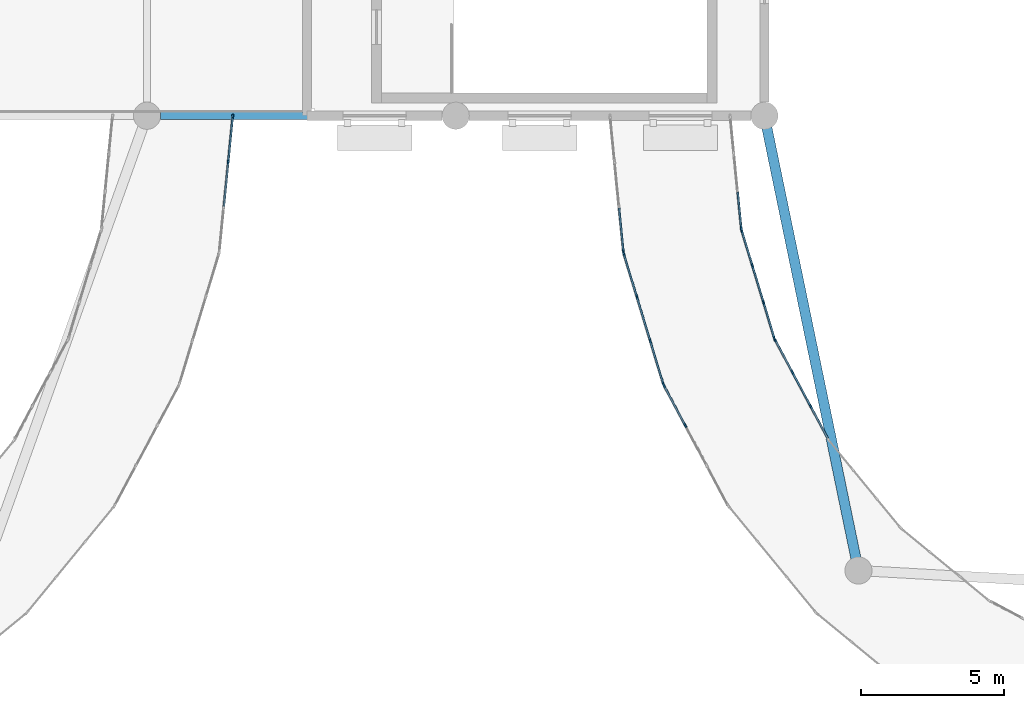
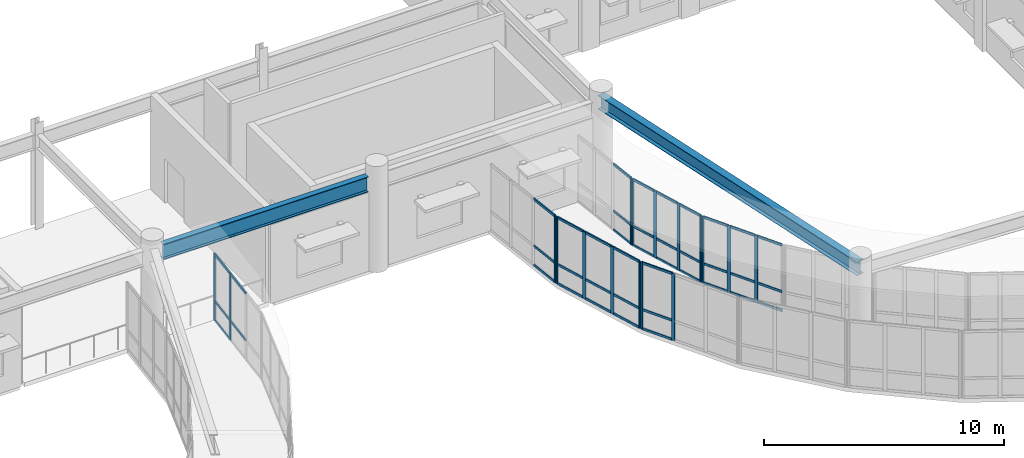
# One storey, part 26 of 68: 58 members, 2 beams, 7 elements without a shape of their own.
"""IFC4 building model written with IfcOpenShell, lengths in metres."""

from ifc_helpers import new_model, si_unit, direction, frame, origin, origin_2d, place, context, subcontext, project, spatial, rectangle, i_section, extrude, material, material_profile, profile_set, type_object, element, aggregate, save


model = new_model("IFC4")

# Units and contexts
model_context = context("Model", 3, precision=1e-05, world=origin(), true_north=direction((0.0, 1.0)))
body_context = subcontext(model_context, "Body", "Model", "MODEL_VIEW")
ifc_project = project(units=[si_unit("LENGTHUNIT", "METRE"), si_unit("AREAUNIT", "SQUARE_METRE"), si_unit("VOLUMEUNIT", "CUBIC_METRE"), si_unit("PLANEANGLEUNIT", "RADIAN"), si_unit("MASSUNIT", "GRAM", prefix="KILO")], contexts=[model_context])

# Site, building, storey
site_placement = place(None, origin())
site = spatial("IfcSite", under=ifc_project, at=site_placement, CompositionType="ELEMENT")
building_placement = place(site_placement, origin())
building = spatial("IfcBuilding", under=site, at=building_placement, Name="Veldera Park Congress Hotel", CompositionType="ELEMENT")
storey_placement = place(building_placement, frame((0.0, 0.0, 10.800048828125)))
storey = spatial("IfcBuildingStorey", under=building, at=storey_placement, Name="L02", CompositionType="ELEMENT", Elevation=10.800048828125)

# Beams
ifc_material_1 = material(Name="Steel ASTM A992 Gr.50", Category="steel")
ifc_material_profile_1 = material_profile(ifc_material_1, i_section(OverallWidth=0.35498046875, OverallDepth=0.696044921875, WebThickness=0.015380859375, FlangeThickness=0.02490234375, at=origin_2d()), Name="W27X146")
ifc_profile_set_1 = profile_set([ifc_material_profile_1], Name="Steel ASTM A992 Gr.50")
beam_type_1 = type_object("IfcBeamType", Name="BM-W27E", PredefinedType="BEAM", material=ifc_profile_set_1)
beam_1_placement = place(storey_placement, frame((44.89013671875, 1.489990234375, 4.64990234375), z_axis=(-0.202507214796, 0.979280770747, 0.0), x_axis=(-0.979280770747, -0.202507214796, 0.0)))
element("IfcBeam", 1, at=beam_1_placement, inside=storey, type_object=beam_type_1, Name="L02 Skybridge Support Girder B E", PredefinedType="BEAM", context=body_context, shape_type="SweptSolid", body=[
    extrude(i_section(OverallWidth=0.35498046875, OverallDepth=0.696044921875, WebThickness=0.015380859375, FlangeThickness=0.02490234375, at=origin_2d()), origin(), (0.0, 0.0, 1.0), 16.24658203125),
])
ifc_material_profile_2 = material_profile(ifc_material_1, i_section(OverallWidth=0.26708984375, OverallDepth=0.779052734375, WebThickness=0.0166015625, FlangeThickness=0.030029296875, at=origin_2d()), Name="W30X148")
ifc_profile_set_2 = profile_set([ifc_material_profile_2], Name="Steel ASTM A992 Gr.50")
beam_type_2 = type_object("IfcBeamType", Name="BM-W30", PredefinedType="BEAM", material=ifc_profile_set_2)
beam_2_placement = place(storey_placement, frame((20.47509765625, 17.39990234375, 4.410400390625), z_axis=(1.0, 0.0, 0.0), x_axis=(0.0, 1.0, 0.0)))
element("IfcBeam", 2, at=beam_2_placement, inside=storey, type_object=beam_type_2, Name="L02 Girder BM-W30 870", PredefinedType="BEAM", context=body_context, shape_type="SweptSolid", body=[
    extrude(i_section(OverallWidth=0.26708984375, OverallDepth=0.779052734375, WebThickness=0.0166015625, FlangeThickness=0.030029296875, at=origin_2d()), origin(), (0.0, 0.0, 1.0), 9.849853515625),
])

# Curtain wall, members
ifc_material_2 = material(Name="Low-E Triple Insulating Glass Unit (SHGC 0.22)", Category="glass")
curtain_wall_type = type_object("IfcCurtainWallType", Name="CW-BRG", PredefinedType="NOTDEFINED", material=ifc_material_2)
curtain_wall_1_placement = place(storey_placement, origin())
curtain_wall_1 = element("IfcCurtainWall", 3, at=curtain_wall_1_placement, inside=storey, type_object=curtain_wall_type, Name="L02 Curtain Wall CW3-BRGW-L02-A07", PredefinedType="NOTDEFINED")
ifc_material_3 = material(Name="Anodised Aluminium Alloy 6063-T6", Category="aluminium")
ifc_material_profile_3 = material_profile(ifc_material_3, rectangle(XDim=0.06005859375, YDim=0.159912109375, at=origin_2d()), Name="ALU 60x160")
ifc_profile_set_3 = profile_set([ifc_material_profile_3], Name="Anodised Aluminium Alloy 6063-T6")
member_type_1 = type_object("IfcMemberType", Name="CWM-160", PredefinedType="MULLION", material=ifc_profile_set_3)
member_1_placement = place(storey_placement, frame((22.842529296875, 15.80029296875, 0.0), z_axis=(0.0, 0.0, 1.0), x_axis=(-0.995184320963, 0.098021259481, 0.0)))
member_1 = element("IfcMember", 4, at=member_1_placement, type_object=member_type_1, Name="CW-BRG mullion 3", PredefinedType="MULLION", context=body_context, shape_type="SweptSolid", body=[
    extrude(rectangle(XDim=0.06005859375, YDim=0.159912109375, at=origin_2d()), origin(), (0.0, 0.0, 1.0), 3.39990234375),
])
member_2_placement = place(storey_placement, frame((22.9970703125, 17.3701171875, 0.0), z_axis=(0.0, 0.0, 1.0), x_axis=(-0.995184320963, 0.098021259481, 0.0)))
member_2 = element("IfcMember", 5, at=member_2_placement, type_object=member_type_1, Name="CW-BRG mullion 4", PredefinedType="MULLION", context=body_context, shape_type="SweptSolid", body=[
    extrude(rectangle(XDim=0.06005859375, YDim=0.159912109375, at=origin_2d()), origin(), (0.0, 0.0, 1.0), 3.39990234375),
])

# Curtain wall, member
curtain_wall_2_placement = place(storey_placement, origin())
curtain_wall_2 = element("IfcCurtainWall", 6, at=curtain_wall_2_placement, inside=storey, type_object=curtain_wall_type, Name="L02 Curtain Wall CW3-BRGE-L02-A00", PredefinedType="NOTDEFINED")
member_3_placement = place(storey_placement, frame((36.669677734375, 12.630615234375, 0.0), z_axis=(0.0, 0.0, 1.0), x_axis=(0.995184320963, 0.098021259481, 0.0)))
member_3 = element("IfcMember", 7, at=member_3_placement, type_object=member_type_1, Name="CW-BRG mullion 4", PredefinedType="MULLION", context=body_context, shape_type="SweptSolid", body=[
    extrude(rectangle(XDim=0.06005859375, YDim=0.159912109375, at=origin_2d()), origin(), (0.0, 0.0, 1.0), 3.39990234375),
])

# Curtain wall, members
curtain_wall_3_placement = place(storey_placement, origin())
curtain_wall_3 = element("IfcCurtainWall", 8, at=curtain_wall_3_placement, inside=storey, type_object=curtain_wall_type, Name="L02 Curtain Wall CW3-BRGE-L02-A01", PredefinedType="NOTDEFINED")
member_4_placement = place(storey_placement, frame((36.681396484375, 12.572021484375, 0.0), z_axis=(0.0, 0.0, 1.0), x_axis=(0.956939429957, 0.290287663177, 0.0)))
member_4 = element("IfcMember", 9, at=member_4_placement, type_object=member_type_1, Name="CW-BRG mullion 1", PredefinedType="MULLION", context=body_context, shape_type="SweptSolid", body=[
    extrude(rectangle(XDim=0.06005859375, YDim=0.159912109375, at=origin_2d()), origin(), (0.0, 0.0, 1.0), 3.39990234375),
])
member_5_placement = place(storey_placement, frame((37.139404296875, 11.0625, 0.0), z_axis=(0.0, 0.0, 1.0), x_axis=(0.956939429957, 0.290287663177, 0.0)))
member_5 = element("IfcMember", 10, at=member_5_placement, type_object=member_type_1, Name="CW-BRG mullion 2", PredefinedType="MULLION", context=body_context, shape_type="SweptSolid", body=[
    extrude(rectangle(XDim=0.06005859375, YDim=0.159912109375, at=origin_2d()), origin(), (0.0, 0.0, 1.0), 3.39990234375),
])
member_6_placement = place(storey_placement, frame((37.60595703125, 9.524169921875, 0.0), z_axis=(0.0, 0.0, 1.0), x_axis=(0.956939429957, 0.290287663177, 0.0)))
member_6 = element("IfcMember", 11, at=member_6_placement, type_object=member_type_1, Name="CW-BRG mullion 3", PredefinedType="MULLION", context=body_context, shape_type="SweptSolid", body=[
    extrude(rectangle(XDim=0.06005859375, YDim=0.159912109375, at=origin_2d()), origin(), (0.0, 0.0, 1.0), 3.39990234375),
])
member_7_placement = place(storey_placement, frame((38.06396484375, 8.0146484375, 0.0), z_axis=(0.0, 0.0, 1.0), x_axis=(0.956939429957, 0.290287663177, 0.0)))
member_7 = element("IfcMember", 12, at=member_7_placement, type_object=member_type_1, Name="CW-BRG mullion 4", PredefinedType="MULLION", context=body_context, shape_type="SweptSolid", body=[
    extrude(rectangle(XDim=0.06005859375, YDim=0.159912109375, at=origin_2d()), origin(), (0.0, 0.0, 1.0), 3.39990234375),
])

curtain_wall_4_placement = place(storey_placement, origin())
curtain_wall_4 = element("IfcCurtainWall", 13, at=curtain_wall_4_placement, inside=storey, type_object=curtain_wall_type, Name="L02 Curtain Wall CW3-BRGE-L02-A02", PredefinedType="NOTDEFINED")
member_8_placement = place(storey_placement, frame((38.086669921875, 7.95947265625, 0.0), z_axis=(0.0, 0.0, 1.0), x_axis=(0.881927804203, 0.471384501415, 0.0)))
member_8 = element("IfcMember", 14, at=member_8_placement, type_object=member_type_1, Name="CW-BRG mullion 1", PredefinedType="MULLION", context=body_context, shape_type="SweptSolid", body=[
    extrude(rectangle(XDim=0.06005859375, YDim=0.159912109375, at=origin_2d()), origin(), (0.0, 0.0, 1.0), 3.39990234375),
])
member_9_placement = place(storey_placement, frame((38.830322265625, 6.568359375, 0.0), z_axis=(0.0, 0.0, 1.0), x_axis=(0.881927804203, 0.471384501415, 0.0)))
member_9 = element("IfcMember", 15, at=member_9_placement, type_object=member_type_1, Name="CW-BRG mullion 2", PredefinedType="MULLION", context=body_context, shape_type="SweptSolid", body=[
    extrude(rectangle(XDim=0.06005859375, YDim=0.159912109375, at=origin_2d()), origin(), (0.0, 0.0, 1.0), 3.39990234375),
])

curtain_wall_5_placement = place(storey_placement, origin())
curtain_wall_5 = element("IfcCurtainWall", 16, at=curtain_wall_5_placement, inside=storey, type_object=curtain_wall_type, Name="L02 Curtain Wall CW3-BRGE-L02-B14", PredefinedType="NOTDEFINED")
member_10_placement = place(storey_placement, frame((43.209716796875, 7.241943359375, 0.0), z_axis=(0.0, 0.0, 1.0), x_axis=(-0.881928263239, -0.471383642588, 0.0)))
member_10 = element("IfcMember", 17, at=member_10_placement, type_object=member_type_1, Name="CW-BRG mullion 2", PredefinedType="MULLION", context=body_context, shape_type="SweptSolid", body=[
    extrude(rectangle(XDim=0.06005859375, YDim=0.159912109375, at=origin_2d()), origin(), (0.0, 0.0, 1.0), 3.39990234375),
])
member_11_placement = place(storey_placement, frame((42.581298828125, 8.417724609375, 0.0), z_axis=(0.0, 0.0, 1.0), x_axis=(-0.881928263239, -0.471383642588, 0.0)))
member_11 = element("IfcMember", 18, at=member_11_placement, type_object=member_type_1, Name="CW-BRG mullion 3", PredefinedType="MULLION", context=body_context, shape_type="SweptSolid", body=[
    extrude(rectangle(XDim=0.06005859375, YDim=0.159912109375, at=origin_2d()), origin(), (0.0, 0.0, 1.0), 3.39990234375),
])
member_12_placement = place(storey_placement, frame((41.967041015625, 9.56689453125, 0.0), z_axis=(0.0, 0.0, 1.0), x_axis=(-0.881928263239, -0.471383642588, 0.0)))
member_12 = element("IfcMember", 19, at=member_12_placement, type_object=member_type_1, Name="CW-BRG mullion 4", PredefinedType="MULLION", context=body_context, shape_type="SweptSolid", body=[
    extrude(rectangle(XDim=0.06005859375, YDim=0.159912109375, at=origin_2d()), origin(), (0.0, 0.0, 1.0), 3.39990234375),
])

curtain_wall_6_placement = place(storey_placement, origin())
curtain_wall_6 = element("IfcCurtainWall", 20, at=curtain_wall_6_placement, inside=storey, type_object=curtain_wall_type, Name="L02 Curtain Wall CW3-BRGE-L02-B15", PredefinedType="NOTDEFINED")
member_13_placement = place(storey_placement, frame((41.944091796875, 9.6220703125, 0.0), z_axis=(0.0, 0.0, 1.0), x_axis=(-0.956938767513, -0.290289846929, 0.0)))
member_13 = element("IfcMember", 21, at=member_13_placement, type_object=member_type_1, Name="CW-BRG mullion 1", PredefinedType="MULLION", context=body_context, shape_type="SweptSolid", body=[
    extrude(rectangle(XDim=0.06005859375, YDim=0.159912109375, at=origin_2d()), origin(), (0.0, 0.0, 1.0), 3.39990234375),
])
member_14_placement = place(storey_placement, frame((41.56591796875, 10.868896484375, 0.0), z_axis=(0.0, 0.0, 1.0), x_axis=(-0.956938767513, -0.290289846929, 0.0)))
member_14 = element("IfcMember", 22, at=member_14_placement, type_object=member_type_1, Name="CW-BRG mullion 2", PredefinedType="MULLION", context=body_context, shape_type="SweptSolid", body=[
    extrude(rectangle(XDim=0.06005859375, YDim=0.159912109375, at=origin_2d()), origin(), (0.0, 0.0, 1.0), 3.39990234375),
])
member_15_placement = place(storey_placement, frame((41.178955078125, 12.14453125, 0.0), z_axis=(0.0, 0.0, 1.0), x_axis=(-0.956938767513, -0.290289846929, 0.0)))
member_15 = element("IfcMember", 23, at=member_15_placement, type_object=member_type_1, Name="CW-BRG mullion 3", PredefinedType="MULLION", context=body_context, shape_type="SweptSolid", body=[
    extrude(rectangle(XDim=0.06005859375, YDim=0.159912109375, at=origin_2d()), origin(), (0.0, 0.0, 1.0), 3.39990234375),
])
member_16_placement = place(storey_placement, frame((40.80078125, 13.3916015625, 0.0), z_axis=(0.0, 0.0, 1.0), x_axis=(-0.956938767513, -0.290289846929, 0.0)))
member_16 = element("IfcMember", 24, at=member_16_placement, type_object=member_type_1, Name="CW-BRG mullion 4", PredefinedType="MULLION", context=body_context, shape_type="SweptSolid", body=[
    extrude(rectangle(XDim=0.06005859375, YDim=0.159912109375, at=origin_2d()), origin(), (0.0, 0.0, 1.0), 3.39990234375),
])

# Curtain wall, member
curtain_wall_7_placement = place(storey_placement, origin())
curtain_wall_7 = element("IfcCurtainWall", 25, at=curtain_wall_7_placement, inside=storey, type_object=curtain_wall_type, Name="L02 Curtain Wall CW3-BRGE-L02-B16", PredefinedType="NOTDEFINED")
member_17_placement = place(storey_placement, frame((40.7890625, 13.449951171875, 0.0), z_axis=(0.0, 0.0, 1.0), x_axis=(-0.99518414337, -0.098023062513, 0.0)))
member_17 = element("IfcMember", 26, at=member_17_placement, type_object=member_type_1, Name="CW-BRG mullion 1", PredefinedType="MULLION", context=body_context, shape_type="SweptSolid", body=[
    extrude(rectangle(XDim=0.06005859375, YDim=0.159912109375, at=origin_2d()), origin(), (0.0, 0.0, 1.0), 3.39990234375),
])

# Member
ifc_material_profile_4 = material_profile(ifc_material_3, rectangle(XDim=0.06005859375, YDim=0.1201171875, at=origin_2d()), Name="ALU 60x120")
ifc_profile_set_4 = profile_set([ifc_material_profile_4], Name="Anodised Aluminium Alloy 6063-T6")
member_type_2 = type_object("IfcMemberType", Name="CWT-120", PredefinedType="USERDEFINED", material=ifc_profile_set_4)
member_18_placement = place(storey_placement, frame((22.687744140625, 14.23046875, 1.0), z_axis=(0.09812904888, 0.995173698289, 0.0), x_axis=(-0.995173698289, 0.09812904888, 0.0)))
member_18 = element("IfcMember", 27, at=member_18_placement, type_object=member_type_2, Name="CW-BRG transom 2.2", ObjectType="TRANSOM", PredefinedType="USERDEFINED", context=body_context, shape_type="SweptSolid", body=[
    extrude(rectangle(XDim=0.06005859375, YDim=0.1201171875, at=origin_2d()), origin(), (0.0, 0.0, 1.0), 1.547607421875),
])

member_19_placement = place(storey_placement, frame((22.687744140625, 14.23046875, 3.369873046875), z_axis=(0.09812904888, 0.995173698289, 0.0), x_axis=(-0.995173698289, 0.09812904888, 0.0)))
member_19 = element("IfcMember", 28, at=member_19_placement, type_object=member_type_2, Name="CW-BRG transom 2.3", ObjectType="TRANSOM", PredefinedType="USERDEFINED", context=body_context, shape_type="SweptSolid", body=[
    extrude(rectangle(XDim=0.06005859375, YDim=0.1201171875, at=origin_2d()), origin(), (0.0, 0.0, 1.0), 1.547607421875),
])

member_20_placement = place(storey_placement, frame((22.845458984375, 15.830078125, 0.030029296875), z_axis=(0.097974467756, 0.99518892863, 0.0), x_axis=(-0.99518892863, 0.097974467756, 0.0)))
member_20 = element("IfcMember", 29, at=member_20_placement, type_object=member_type_2, Name="CW-BRG transom 3.1", ObjectType="TRANSOM", PredefinedType="USERDEFINED", context=body_context, shape_type="SweptSolid", body=[
    extrude(rectangle(XDim=0.06005859375, YDim=0.1201171875, at=origin_2d()), origin(), (0.0, 0.0, 1.0), 1.517578125),
])

member_21_placement = place(storey_placement, frame((22.845458984375, 15.830078125, 1.0), z_axis=(0.097974467756, 0.99518892863, 0.0), x_axis=(-0.99518892863, 0.097974467756, 0.0)))
member_21 = element("IfcMember", 30, at=member_21_placement, type_object=member_type_2, Name="CW-BRG transom 3.2", ObjectType="TRANSOM", PredefinedType="USERDEFINED", context=body_context, shape_type="SweptSolid", body=[
    extrude(rectangle(XDim=0.06005859375, YDim=0.1201171875, at=origin_2d()), origin(), (0.0, 0.0, 1.0), 1.517578125),
])

member_22_placement = place(storey_placement, frame((22.845458984375, 15.830078125, 3.369873046875), z_axis=(0.097974467756, 0.99518892863, 0.0), x_axis=(-0.99518892863, 0.097974467756, 0.0)))
member_22 = element("IfcMember", 31, at=member_22_placement, type_object=member_type_2, Name="CW-BRG transom 3.3", ObjectType="TRANSOM", PredefinedType="USERDEFINED", context=body_context, shape_type="SweptSolid", body=[
    extrude(rectangle(XDim=0.06005859375, YDim=0.1201171875, at=origin_2d()), origin(), (0.0, 0.0, 1.0), 1.517578125),
])

aggregate(curtain_wall_1, [member_1, member_2, member_18, member_19, member_20, member_21, member_22])

member_23_placement = place(storey_placement, frame((36.51806640625, 14.170654296875, 0.030029296875), z_axis=(0.097974467756, -0.99518892863, 0.0), x_axis=(0.99518892863, 0.097974467756, 0.0)))
member_23 = element("IfcMember", 32, at=member_23_placement, type_object=member_type_2, Name="CW-BRG transom 3.1", ObjectType="TRANSOM", PredefinedType="USERDEFINED", context=body_context, shape_type="SweptSolid", body=[
    extrude(rectangle(XDim=0.06005859375, YDim=0.1201171875, at=origin_2d()), origin(), (0.0, 0.0, 1.0), 1.517578125),
])

member_24_placement = place(storey_placement, frame((36.51806640625, 14.170654296875, 1.0), z_axis=(0.097974467756, -0.99518892863, 0.0), x_axis=(0.99518892863, 0.097974467756, 0.0)))
member_24 = element("IfcMember", 33, at=member_24_placement, type_object=member_type_2, Name="CW-BRG transom 3.2", ObjectType="TRANSOM", PredefinedType="USERDEFINED", context=body_context, shape_type="SweptSolid", body=[
    extrude(rectangle(XDim=0.06005859375, YDim=0.1201171875, at=origin_2d()), origin(), (0.0, 0.0, 1.0), 1.517578125),
])

member_25_placement = place(storey_placement, frame((36.51806640625, 14.170654296875, 3.369873046875), z_axis=(0.097974467756, -0.99518892863, 0.0), x_axis=(0.99518892863, 0.097974467756, 0.0)))
member_25 = element("IfcMember", 34, at=member_25_placement, type_object=member_type_2, Name="CW-BRG transom 3.3", ObjectType="TRANSOM", PredefinedType="USERDEFINED", context=body_context, shape_type="SweptSolid", body=[
    extrude(rectangle(XDim=0.06005859375, YDim=0.1201171875, at=origin_2d()), origin(), (0.0, 0.0, 1.0), 1.517578125),
])

aggregate(curtain_wall_2, [member_3, member_23, member_24, member_25])

member_26_placement = place(storey_placement, frame((36.690185546875, 12.54345703125, 0.030029296875), z_axis=(0.290239583177, -0.956954013711, 0.0), x_axis=(0.956954013711, 0.290239583177, 0.0)))
member_26 = element("IfcMember", 35, at=member_26_placement, type_object=member_type_2, Name="CW-BRG transom 1.1", ObjectType="TRANSOM", PredefinedType="USERDEFINED", context=body_context, shape_type="SweptSolid", body=[
    extrude(rectangle(XDim=0.06005859375, YDim=0.1201171875, at=origin_2d()), origin(), (0.0, 0.0, 1.0), 1.517578125),
])

member_27_placement = place(storey_placement, frame((36.690185546875, 12.54345703125, 1.0), z_axis=(0.290239583177, -0.956954013711, 0.0), x_axis=(0.956954013711, 0.290239583177, 0.0)))
member_27 = element("IfcMember", 36, at=member_27_placement, type_object=member_type_2, Name="CW-BRG transom 1.2", ObjectType="TRANSOM", PredefinedType="USERDEFINED", context=body_context, shape_type="SweptSolid", body=[
    extrude(rectangle(XDim=0.06005859375, YDim=0.1201171875, at=origin_2d()), origin(), (0.0, 0.0, 1.0), 1.517578125),
])

member_28_placement = place(storey_placement, frame((36.690185546875, 12.54345703125, 3.369873046875), z_axis=(0.290239583177, -0.956954013711, 0.0), x_axis=(0.956954013711, 0.290239583177, 0.0)))
member_28 = element("IfcMember", 37, at=member_28_placement, type_object=member_type_2, Name="CW-BRG transom 1.3", ObjectType="TRANSOM", PredefinedType="USERDEFINED", context=body_context, shape_type="SweptSolid", body=[
    extrude(rectangle(XDim=0.06005859375, YDim=0.1201171875, at=origin_2d()), origin(), (0.0, 0.0, 1.0), 1.517578125),
])

member_29_placement = place(storey_placement, frame((37.14794921875, 11.033935546875, 0.030029296875), z_axis=(0.29027008903, -0.9569447609, 0.0), x_axis=(0.9569447609, 0.29027008903, 0.0)))
member_29 = element("IfcMember", 38, at=member_29_placement, type_object=member_type_2, Name="CW-BRG transom 2.1", ObjectType="TRANSOM", PredefinedType="USERDEFINED", context=body_context, shape_type="SweptSolid", body=[
    extrude(rectangle(XDim=0.06005859375, YDim=0.1201171875, at=origin_2d()), origin(), (0.0, 0.0, 1.0), 1.547607421875),
])

member_30_placement = place(storey_placement, frame((37.14794921875, 11.033935546875, 1.0), z_axis=(0.29027008903, -0.9569447609, 0.0), x_axis=(0.9569447609, 0.29027008903, 0.0)))
member_30 = element("IfcMember", 39, at=member_30_placement, type_object=member_type_2, Name="CW-BRG transom 2.2", ObjectType="TRANSOM", PredefinedType="USERDEFINED", context=body_context, shape_type="SweptSolid", body=[
    extrude(rectangle(XDim=0.06005859375, YDim=0.1201171875, at=origin_2d()), origin(), (0.0, 0.0, 1.0), 1.547607421875),
])

member_31_placement = place(storey_placement, frame((37.14794921875, 11.033935546875, 3.369873046875), z_axis=(0.29027008903, -0.9569447609, 0.0), x_axis=(0.9569447609, 0.29027008903, 0.0)))
member_31 = element("IfcMember", 40, at=member_31_placement, type_object=member_type_2, Name="CW-BRG transom 2.3", ObjectType="TRANSOM", PredefinedType="USERDEFINED", context=body_context, shape_type="SweptSolid", body=[
    extrude(rectangle(XDim=0.06005859375, YDim=0.1201171875, at=origin_2d()), origin(), (0.0, 0.0, 1.0), 1.547607421875),
])

member_32_placement = place(storey_placement, frame((37.61474609375, 9.49560546875, 0.030029296875), z_axis=(0.290239583177, -0.956954013711, 0.0), x_axis=(0.956954013711, 0.290239583177, 0.0)))
member_32 = element("IfcMember", 41, at=member_32_placement, type_object=member_type_2, Name="CW-BRG transom 3.1", ObjectType="TRANSOM", PredefinedType="USERDEFINED", context=body_context, shape_type="SweptSolid", body=[
    extrude(rectangle(XDim=0.06005859375, YDim=0.1201171875, at=origin_2d()), origin(), (0.0, 0.0, 1.0), 1.517578125),
])

member_33_placement = place(storey_placement, frame((37.61474609375, 9.49560546875, 1.0), z_axis=(0.290239583177, -0.956954013711, 0.0), x_axis=(0.956954013711, 0.290239583177, 0.0)))
member_33 = element("IfcMember", 42, at=member_33_placement, type_object=member_type_2, Name="CW-BRG transom 3.2", ObjectType="TRANSOM", PredefinedType="USERDEFINED", context=body_context, shape_type="SweptSolid", body=[
    extrude(rectangle(XDim=0.06005859375, YDim=0.1201171875, at=origin_2d()), origin(), (0.0, 0.0, 1.0), 1.517578125),
])

member_34_placement = place(storey_placement, frame((37.61474609375, 9.49560546875, 3.369873046875), z_axis=(0.290239583177, -0.956954013711, 0.0), x_axis=(0.956954013711, 0.290239583177, 0.0)))
member_34 = element("IfcMember", 43, at=member_34_placement, type_object=member_type_2, Name="CW-BRG transom 3.3", ObjectType="TRANSOM", PredefinedType="USERDEFINED", context=body_context, shape_type="SweptSolid", body=[
    extrude(rectangle(XDim=0.06005859375, YDim=0.1201171875, at=origin_2d()), origin(), (0.0, 0.0, 1.0), 1.517578125),
])

aggregate(curtain_wall_3, [member_4, member_5, member_6, member_7, member_26, member_27, member_28, member_29, member_30, member_31, member_32, member_33, member_34])

member_35_placement = place(storey_placement, frame((38.100830078125, 7.93310546875, 0.030029296875), z_axis=(0.4713729563, -0.881933974892, 0.0), x_axis=(0.881933974892, 0.4713729563, 0.0)))
member_35 = element("IfcMember", 44, at=member_35_placement, type_object=member_type_2, Name="CW-BRG transom 1.1", ObjectType="TRANSOM", PredefinedType="USERDEFINED", context=body_context, shape_type="SweptSolid", body=[
    extrude(rectangle(XDim=0.06005859375, YDim=0.1201171875, at=origin_2d()), origin(), (0.0, 0.0, 1.0), 1.517578125),
])

member_36_placement = place(storey_placement, frame((38.100830078125, 7.93310546875, 1.0), z_axis=(0.4713729563, -0.881933974892, 0.0), x_axis=(0.881933974892, 0.4713729563, 0.0)))
member_36 = element("IfcMember", 45, at=member_36_placement, type_object=member_type_2, Name="CW-BRG transom 1.2", ObjectType="TRANSOM", PredefinedType="USERDEFINED", context=body_context, shape_type="SweptSolid", body=[
    extrude(rectangle(XDim=0.06005859375, YDim=0.1201171875, at=origin_2d()), origin(), (0.0, 0.0, 1.0), 1.517578125),
])

member_37_placement = place(storey_placement, frame((38.100830078125, 7.93310546875, 3.369873046875), z_axis=(0.4713729563, -0.881933974892, 0.0), x_axis=(0.881933974892, 0.4713729563, 0.0)))
member_37 = element("IfcMember", 46, at=member_37_placement, type_object=member_type_2, Name="CW-BRG transom 1.3", ObjectType="TRANSOM", PredefinedType="USERDEFINED", context=body_context, shape_type="SweptSolid", body=[
    extrude(rectangle(XDim=0.06005859375, YDim=0.1201171875, at=origin_2d()), origin(), (0.0, 0.0, 1.0), 1.517578125),
])

aggregate(curtain_wall_4, [member_8, member_9, member_35, member_36, member_37])

member_38_placement = place(storey_placement, frame((43.809814453125, 6.119384765625, 0.030029296875), z_axis=(-0.471403611449, 0.881917589752, 0.0), x_axis=(-0.881917589752, -0.471403611449, 0.0)))
member_38 = element("IfcMember", 47, at=member_38_placement, type_object=member_type_2, Name="CW-BRG transom 1.1", ObjectType="TRANSOM", PredefinedType="USERDEFINED", context=body_context, shape_type="SweptSolid", body=[
    extrude(rectangle(XDim=0.06005859375, YDim=0.1201171875, at=origin_2d()), origin(), (0.0, 0.0, 1.0), 1.242919921875),
])

member_39_placement = place(storey_placement, frame((43.809814453125, 6.119384765625, 1.0), z_axis=(-0.471403611449, 0.881917589752, 0.0), x_axis=(-0.881917589752, -0.471403611449, 0.0)))
member_39 = element("IfcMember", 48, at=member_39_placement, type_object=member_type_2, Name="CW-BRG transom 1.2", ObjectType="TRANSOM", PredefinedType="USERDEFINED", context=body_context, shape_type="SweptSolid", body=[
    extrude(rectangle(XDim=0.06005859375, YDim=0.1201171875, at=origin_2d()), origin(), (0.0, 0.0, 1.0), 1.242919921875),
])

member_40_placement = place(storey_placement, frame((43.809814453125, 6.119384765625, 3.369873046875), z_axis=(-0.471403611449, 0.881917589752, 0.0), x_axis=(-0.881917589752, -0.471403611449, 0.0)))
member_40 = element("IfcMember", 49, at=member_40_placement, type_object=member_type_2, Name="CW-BRG transom 1.3", ObjectType="TRANSOM", PredefinedType="USERDEFINED", context=body_context, shape_type="SweptSolid", body=[
    extrude(rectangle(XDim=0.06005859375, YDim=0.1201171875, at=origin_2d()), origin(), (0.0, 0.0, 1.0), 1.242919921875),
])

member_41_placement = place(storey_placement, frame((43.195556640625, 7.2685546875, 0.030029296875), z_axis=(-0.471444144802, 0.881895922619, 0.0), x_axis=(-0.881895922619, -0.471444144802, 0.0)))
member_41 = element("IfcMember", 50, at=member_41_placement, type_object=member_type_2, Name="CW-BRG transom 2.1", ObjectType="TRANSOM", PredefinedType="USERDEFINED", context=body_context, shape_type="SweptSolid", body=[
    extrude(rectangle(XDim=0.06005859375, YDim=0.1201171875, at=origin_2d()), origin(), (0.0, 0.0, 1.0), 1.27294921875),
])

member_42_placement = place(storey_placement, frame((43.195556640625, 7.2685546875, 1.0), z_axis=(-0.471444144802, 0.881895922619, 0.0), x_axis=(-0.881895922619, -0.471444144802, 0.0)))
member_42 = element("IfcMember", 51, at=member_42_placement, type_object=member_type_2, Name="CW-BRG transom 2.2", ObjectType="TRANSOM", PredefinedType="USERDEFINED", context=body_context, shape_type="SweptSolid", body=[
    extrude(rectangle(XDim=0.06005859375, YDim=0.1201171875, at=origin_2d()), origin(), (0.0, 0.0, 1.0), 1.27294921875),
])

member_43_placement = place(storey_placement, frame((43.195556640625, 7.2685546875, 3.369873046875), z_axis=(-0.471444144802, 0.881895922619, 0.0), x_axis=(-0.881895922619, -0.471444144802, 0.0)))
member_43 = element("IfcMember", 52, at=member_43_placement, type_object=member_type_2, Name="CW-BRG transom 2.3", ObjectType="TRANSOM", PredefinedType="USERDEFINED", context=body_context, shape_type="SweptSolid", body=[
    extrude(rectangle(XDim=0.06005859375, YDim=0.1201171875, at=origin_2d()), origin(), (0.0, 0.0, 1.0), 1.27294921875),
])

member_44_placement = place(storey_placement, frame((42.567138671875, 8.444091796875, 0.030029296875), z_axis=(-0.471403611449, 0.881917589752, 0.0), x_axis=(-0.881917589752, -0.471403611449, 0.0)))
member_44 = element("IfcMember", 53, at=member_44_placement, type_object=member_type_2, Name="CW-BRG transom 3.1", ObjectType="TRANSOM", PredefinedType="USERDEFINED", context=body_context, shape_type="SweptSolid", body=[
    extrude(rectangle(XDim=0.06005859375, YDim=0.1201171875, at=origin_2d()), origin(), (0.0, 0.0, 1.0), 1.242919921875),
])

member_45_placement = place(storey_placement, frame((42.567138671875, 8.444091796875, 1.0), z_axis=(-0.471403611449, 0.881917589752, 0.0), x_axis=(-0.881917589752, -0.471403611449, 0.0)))
member_45 = element("IfcMember", 54, at=member_45_placement, type_object=member_type_2, Name="CW-BRG transom 3.2", ObjectType="TRANSOM", PredefinedType="USERDEFINED", context=body_context, shape_type="SweptSolid", body=[
    extrude(rectangle(XDim=0.06005859375, YDim=0.1201171875, at=origin_2d()), origin(), (0.0, 0.0, 1.0), 1.242919921875),
])

member_46_placement = place(storey_placement, frame((42.567138671875, 8.444091796875, 3.369873046875), z_axis=(-0.471403611449, 0.881917589752, 0.0), x_axis=(-0.881917589752, -0.471403611449, 0.0)))
member_46 = element("IfcMember", 55, at=member_46_placement, type_object=member_type_2, Name="CW-BRG transom 3.3", ObjectType="TRANSOM", PredefinedType="USERDEFINED", context=body_context, shape_type="SweptSolid", body=[
    extrude(rectangle(XDim=0.06005859375, YDim=0.1201171875, at=origin_2d()), origin(), (0.0, 0.0, 1.0), 1.242919921875),
])

aggregate(curtain_wall_5, [member_10, member_11, member_12, member_38, member_39, member_40, member_41, member_42, member_43, member_44, member_45, member_46])

member_47_placement = place(storey_placement, frame((41.935546875, 9.650634765625, 0.030029296875), z_axis=(-0.290247202296, 0.956951702835, 0.0), x_axis=(-0.956951702835, -0.290247202296, 0.0)))
member_47 = element("IfcMember", 56, at=member_47_placement, type_object=member_type_2, Name="CW-BRG transom 1.1", ObjectType="TRANSOM", PredefinedType="USERDEFINED", context=body_context, shape_type="SweptSolid", body=[
    extrude(rectangle(XDim=0.06005859375, YDim=0.1201171875, at=origin_2d()), origin(), (0.0, 0.0, 1.0), 1.2431640625),
])

member_48_placement = place(storey_placement, frame((41.935546875, 9.650634765625, 1.0), z_axis=(-0.290247202296, 0.956951702835, 0.0), x_axis=(-0.956951702835, -0.290247202296, 0.0)))
member_48 = element("IfcMember", 57, at=member_48_placement, type_object=member_type_2, Name="CW-BRG transom 1.2", ObjectType="TRANSOM", PredefinedType="USERDEFINED", context=body_context, shape_type="SweptSolid", body=[
    extrude(rectangle(XDim=0.06005859375, YDim=0.1201171875, at=origin_2d()), origin(), (0.0, 0.0, 1.0), 1.2431640625),
])

member_49_placement = place(storey_placement, frame((41.935546875, 9.650634765625, 3.369873046875), z_axis=(-0.290247202296, 0.956951702835, 0.0), x_axis=(-0.956951702835, -0.290247202296, 0.0)))
member_49 = element("IfcMember", 58, at=member_49_placement, type_object=member_type_2, Name="CW-BRG transom 1.3", ObjectType="TRANSOM", PredefinedType="USERDEFINED", context=body_context, shape_type="SweptSolid", body=[
    extrude(rectangle(XDim=0.06005859375, YDim=0.1201171875, at=origin_2d()), origin(), (0.0, 0.0, 1.0), 1.2431640625),
])

member_50_placement = place(storey_placement, frame((41.55712890625, 10.897705078125, 0.030029296875), z_axis=(-0.290161750284, 0.956977616599, 0.0), x_axis=(-0.956977616599, -0.290161750284, 0.0)))
member_50 = element("IfcMember", 59, at=member_50_placement, type_object=member_type_2, Name="CW-BRG transom 2.1", ObjectType="TRANSOM", PredefinedType="USERDEFINED", context=body_context, shape_type="SweptSolid", body=[
    extrude(rectangle(XDim=0.06005859375, YDim=0.1201171875, at=origin_2d()), origin(), (0.0, 0.0, 1.0), 1.27294921875),
])

member_51_placement = place(storey_placement, frame((41.55712890625, 10.897705078125, 1.0), z_axis=(-0.290161750284, 0.956977616599, 0.0), x_axis=(-0.956977616599, -0.290161750284, 0.0)))
member_51 = element("IfcMember", 60, at=member_51_placement, type_object=member_type_2, Name="CW-BRG transom 2.2", ObjectType="TRANSOM", PredefinedType="USERDEFINED", context=body_context, shape_type="SweptSolid", body=[
    extrude(rectangle(XDim=0.06005859375, YDim=0.1201171875, at=origin_2d()), origin(), (0.0, 0.0, 1.0), 1.27294921875),
])

member_52_placement = place(storey_placement, frame((41.55712890625, 10.897705078125, 3.369873046875), z_axis=(-0.290161750284, 0.956977616599, 0.0), x_axis=(-0.956977616599, -0.290161750284, 0.0)))
member_52 = element("IfcMember", 61, at=member_52_placement, type_object=member_type_2, Name="CW-BRG transom 2.3", ObjectType="TRANSOM", PredefinedType="USERDEFINED", context=body_context, shape_type="SweptSolid", body=[
    extrude(rectangle(XDim=0.06005859375, YDim=0.1201171875, at=origin_2d()), origin(), (0.0, 0.0, 1.0), 1.27294921875),
])

member_53_placement = place(storey_placement, frame((41.170166015625, 12.17333984375, 0.030029296875), z_axis=(-0.290301756665, 0.956935154583, 0.0), x_axis=(-0.956935154583, -0.290301756665, 0.0)))
member_53 = element("IfcMember", 62, at=member_53_placement, type_object=member_type_2, Name="CW-BRG transom 3.1", ObjectType="TRANSOM", PredefinedType="USERDEFINED", context=body_context, shape_type="SweptSolid", body=[
    extrude(rectangle(XDim=0.06005859375, YDim=0.1201171875, at=origin_2d()), origin(), (0.0, 0.0, 1.0), 1.242919921875),
])

member_54_placement = place(storey_placement, frame((41.170166015625, 12.17333984375, 1.0), z_axis=(-0.290301756665, 0.956935154583, 0.0), x_axis=(-0.956935154583, -0.290301756665, 0.0)))
member_54 = element("IfcMember", 63, at=member_54_placement, type_object=member_type_2, Name="CW-BRG transom 3.2", ObjectType="TRANSOM", PredefinedType="USERDEFINED", context=body_context, shape_type="SweptSolid", body=[
    extrude(rectangle(XDim=0.06005859375, YDim=0.1201171875, at=origin_2d()), origin(), (0.0, 0.0, 1.0), 1.242919921875),
])

member_55_placement = place(storey_placement, frame((41.170166015625, 12.17333984375, 3.369873046875), z_axis=(-0.290301756665, 0.956935154583, 0.0), x_axis=(-0.956935154583, -0.290301756665, 0.0)))
member_55 = element("IfcMember", 64, at=member_55_placement, type_object=member_type_2, Name="CW-BRG transom 3.3", ObjectType="TRANSOM", PredefinedType="USERDEFINED", context=body_context, shape_type="SweptSolid", body=[
    extrude(rectangle(XDim=0.06005859375, YDim=0.1201171875, at=origin_2d()), origin(), (0.0, 0.0, 1.0), 1.242919921875),
])

aggregate(curtain_wall_6, [member_13, member_14, member_15, member_16, member_47, member_48, member_49, member_50, member_51, member_52, member_53, member_54, member_55])

member_56_placement = place(storey_placement, frame((40.7861328125, 13.47998046875, 0.030029296875), z_axis=(-0.098006258807, 0.995185798349, 0.0), x_axis=(-0.995185798349, -0.098006258807, 0.0)))
member_56 = element("IfcMember", 65, at=member_56_placement, type_object=member_type_2, Name="CW-BRG transom 1.1", ObjectType="TRANSOM", PredefinedType="USERDEFINED", context=body_context, shape_type="SweptSolid", body=[
    extrude(rectangle(XDim=0.06005859375, YDim=0.1201171875, at=origin_2d()), origin(), (0.0, 0.0, 1.0), 1.2431640625),
])

member_57_placement = place(storey_placement, frame((40.7861328125, 13.47998046875, 1.0), z_axis=(-0.098006258807, 0.995185798349, 0.0), x_axis=(-0.995185798349, -0.098006258807, 0.0)))
member_57 = element("IfcMember", 66, at=member_57_placement, type_object=member_type_2, Name="CW-BRG transom 1.2", ObjectType="TRANSOM", PredefinedType="USERDEFINED", context=body_context, shape_type="SweptSolid", body=[
    extrude(rectangle(XDim=0.06005859375, YDim=0.1201171875, at=origin_2d()), origin(), (0.0, 0.0, 1.0), 1.2431640625),
])

member_58_placement = place(storey_placement, frame((40.7861328125, 13.47998046875, 3.369873046875), z_axis=(-0.098006258807, 0.995185798349, 0.0), x_axis=(-0.995185798349, -0.098006258807, 0.0)))
member_58 = element("IfcMember", 67, at=member_58_placement, type_object=member_type_2, Name="CW-BRG transom 1.3", ObjectType="TRANSOM", PredefinedType="USERDEFINED", context=body_context, shape_type="SweptSolid", body=[
    extrude(rectangle(XDim=0.06005859375, YDim=0.1201171875, at=origin_2d()), origin(), (0.0, 0.0, 1.0), 1.2431640625),
])

aggregate(curtain_wall_7, [member_17, member_56, member_57, member_58])

save(model, "model.ifc")
